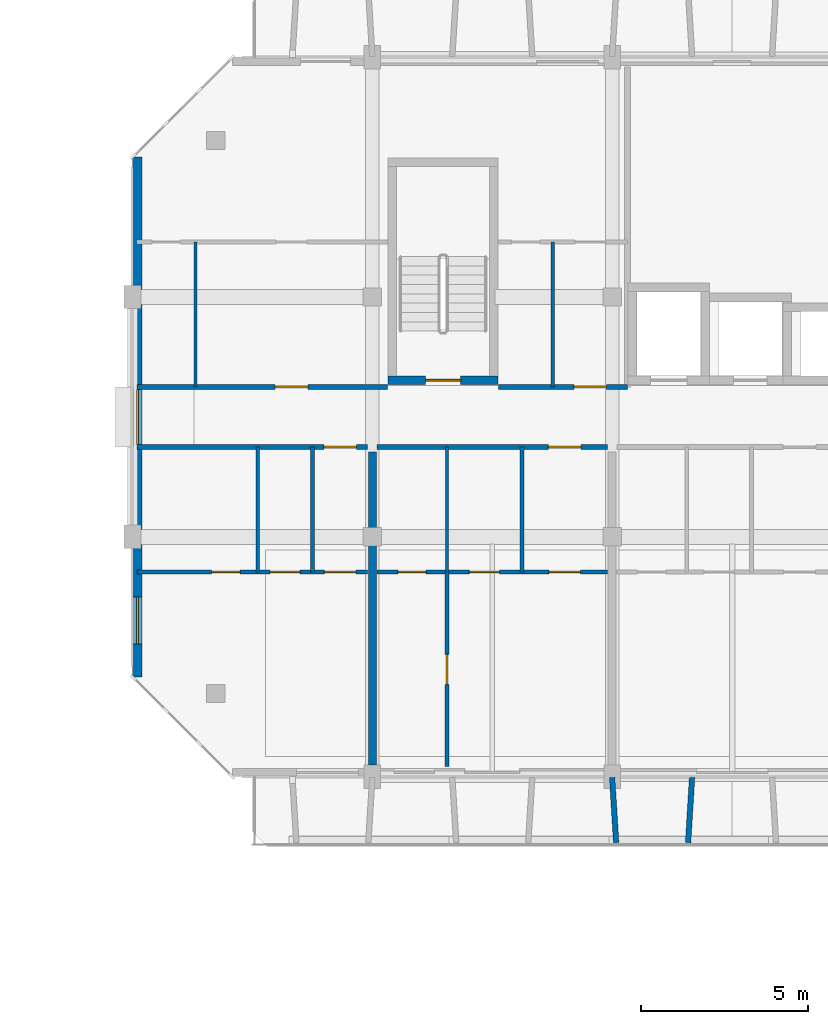
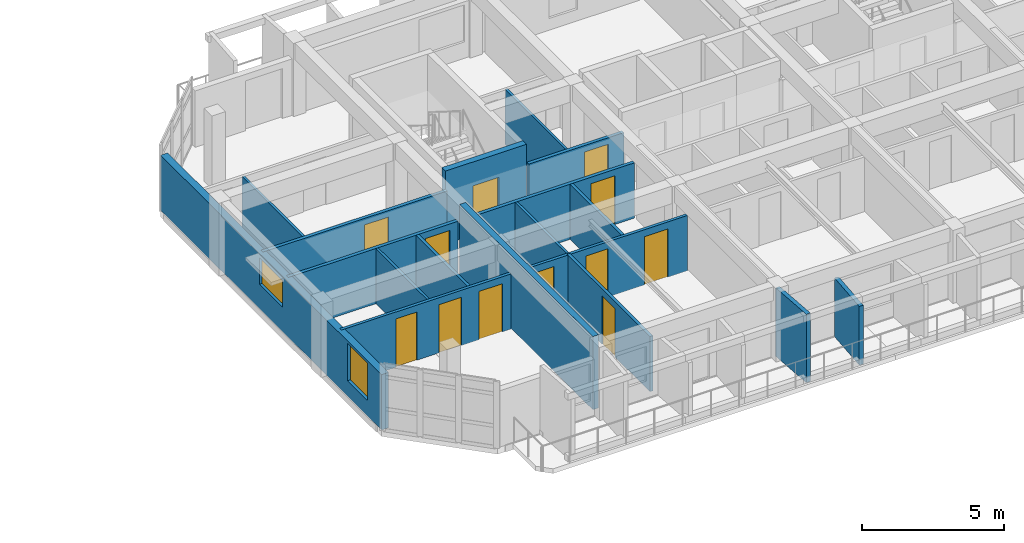
# One storey, part 40 of 64: 18 walls, 12 doors, 2 windows, 14 openings.
"""IFC4 building model written with IfcOpenShell, lengths in metres."""

from ifc_helpers import new_model, si_unit, direction, frame, frame_2d, origin, place, context, subcontext, project, spatial, rectangle, extrude, material, layer, layer_set, type_object, element, fill, save


model = new_model("IFC4")

# Units and contexts
model_context = context("Model", 3, precision=1e-05, world=origin(), true_north=direction((0.0, 1.0)))
body_context = subcontext(model_context, "Body", "Model", "MODEL_VIEW")
ifc_project = project(units=[si_unit("LENGTHUNIT", "METRE"), si_unit("AREAUNIT", "SQUARE_METRE"), si_unit("VOLUMEUNIT", "CUBIC_METRE"), si_unit("PLANEANGLEUNIT", "RADIAN"), si_unit("MASSUNIT", "GRAM", prefix="KILO")], contexts=[model_context])

# Site, building, storey
site_placement = place(None, origin())
site = spatial("IfcSite", under=ifc_project, at=site_placement, CompositionType="ELEMENT")
building_placement = place(site_placement, origin())
building = spatial("IfcBuilding", under=site, at=building_placement, Name="Ochrevale Crest", CompositionType="ELEMENT")
storey_placement = place(building_placement, frame((0.0, 0.0, 8.699951171875)))
storey = spatial("IfcBuildingStorey", under=building, at=storey_placement, Name="L02", CompositionType="ELEMENT", Elevation=8.699951171875)

# Wall, opening, door
ifc_material_1 = material(Name="Gypsum plasterboard", Category="gypsum")
ifc_layer_1 = layer(ifc_material_1, 0.139892578125)
ifc_layer_set_1 = layer_set([ifc_layer_1], Name="Gypsum plasterboard")
wall_type_1 = type_object("IfcWallType", Name="WL-COR-140", PredefinedType="PARTITIONING", material=ifc_layer_set_1)
wall_1_placement = place(storey_placement, frame((129.739990234375, 24.300048828125, 0.0), z_axis=(0.0, 0.0, 1.0), x_axis=(1.0, 0.0, 0.0)))
wall_1 = element("IfcWall", 1, at=wall_1_placement, inside=storey, type_object=wall_type_1, Name="Apartment C-L02-U1 corridor wall", PredefinedType="PARTITIONING", context=body_context, shape_type="SweptSolid", body=[
    extrude(rectangle(XDim=6.919921875, YDim=0.139892578125, at=frame_2d((3.4599609375, 0.0))), origin(), (0.0, 0.0, 1.0), 2.380126953125),
])
opening_1_placement = place(wall_1_placement, frame((6.5849609375, 0.0, 0.0), z_axis=(0.0, 0.0, 1.0), x_axis=(-1.0, 0.0, 0.0)))
opening_1 = element("IfcOpeningElement", 2, at=opening_1_placement, cuts=wall_1, Name="Opening FD01", PredefinedType="OPENING", context=body_context, shape_type="SweptSolid", body=[
    extrude(rectangle(XDim=0.97998046875, YDim=2.10009765625, at=frame_2d((0.489990234375, 1.050048828125))), frame((0.0, 0.080078125, 0.0), z_axis=(0.0, -1.0, 0.0), x_axis=(1.0, 0.0, 0.0)), (0.0, 0.0, 1.0), 0.159912109375),
])
ifc_material_2 = material(Name="Solid-core FSC hardwood", Category="wood")
door_type_1 = type_object("IfcDoorType", Name="DR-APT-950", OperationType="NOTDEFINED", PredefinedType="DOOR", material=ifc_material_2)
door_1_placement = place(opening_1_placement, origin())
door_1 = element("IfcDoor", 3, at=door_1_placement, inside=storey, type_object=door_type_1, Name="Apartment C-L02-U1 entrance door", OperationType="SINGLE_SWING_RIGHT", OverallHeight=2.10009765625, OverallWidth=0.97998046875, PredefinedType="DOOR", context=body_context, shape_type="SweptSolid", body=[
    extrude(rectangle(XDim=0.97998046875, YDim=2.10009765625, at=frame_2d((0.489990234375, 1.050048828125))), frame((0.0, 0.02490234375, 0.0), z_axis=(0.0, -1.0, 0.0), x_axis=(1.0, 0.0, 0.0)), (0.0, 0.0, 1.0), 0.050048828125),
])
fill(opening_1, door_1)

wall_2_placement = place(storey_placement, frame((136.93994140625, 24.300048828125, 0.0), z_axis=(0.0, 0.0, 1.0), x_axis=(1.0, 0.0, 0.0)))
wall_2 = element("IfcWall", 4, at=wall_2_placement, inside=storey, type_object=wall_type_1, Name="Apartment C-L02-U2 corridor wall", PredefinedType="PARTITIONING", context=body_context, shape_type="SweptSolid", body=[
    extrude(rectangle(XDim=6.920166015625, YDim=0.139892578125, at=frame_2d((3.4599609375, 0.0))), origin(), (0.0, 0.0, 1.0), 2.380126953125),
])
opening_2_placement = place(wall_2_placement, frame((6.125, 0.0, 0.0), z_axis=(0.0, 0.0, 1.0), x_axis=(-1.0, 0.0, 0.0)))
opening_2 = element("IfcOpeningElement", 5, at=opening_2_placement, cuts=wall_2, Name="Opening FD01", PredefinedType="OPENING", context=body_context, shape_type="SweptSolid", body=[
    extrude(rectangle(XDim=0.97998046875, YDim=2.10009765625, at=frame_2d((0.489990234375, 1.050048828125))), frame((0.0, 0.080078125, 0.0), z_axis=(0.0, -1.0, 0.0), x_axis=(1.0, 0.0, 0.0)), (0.0, 0.0, 1.0), 0.159912109375),
])
door_2_placement = place(opening_2_placement, origin())
door_2 = element("IfcDoor", 6, at=door_2_placement, inside=storey, type_object=door_type_1, Name="Apartment C-L02-U2 entrance door", OperationType="SINGLE_SWING_RIGHT", OverallHeight=2.10009765625, OverallWidth=0.97998046875, PredefinedType="DOOR", context=body_context, shape_type="SweptSolid", body=[
    extrude(rectangle(XDim=0.97998046875, YDim=2.10009765625, at=frame_2d((0.489990234375, 1.050048828125))), frame((0.0, 0.02490234375, 0.0), z_axis=(0.0, -1.0, 0.0), x_axis=(1.0, 0.0, 0.0)), (0.0, 0.0, 1.0), 0.050048828125),
])
fill(opening_2, door_2)

wall_3_placement = place(storey_placement, frame((129.739990234375, 26.10009765625, 0.0), z_axis=(0.0, 0.0, 1.0), x_axis=(1.0, 0.0, 0.0)))
wall_3 = element("IfcWall", 7, at=wall_3_placement, inside=storey, type_object=wall_type_1, Name="Suite C-L02-CW corridor wall", PredefinedType="PARTITIONING", context=body_context, shape_type="SweptSolid", body=[
    extrude(rectangle(XDim=7.52001953125, YDim=0.139892578125, at=frame_2d((3.760009765625, 0.0))), origin(), (0.0, 0.0, 1.0), 2.380126953125),
])
opening_3_placement = place(wall_3_placement, frame((5.125, 0.0, 0.0), z_axis=(0.0, 0.0, 1.0), x_axis=(-1.0, 0.0, 0.0)))
opening_3 = element("IfcOpeningElement", 8, at=opening_3_placement, cuts=wall_3, Name="Opening FD01", PredefinedType="OPENING", context=body_context, shape_type="SweptSolid", body=[
    extrude(rectangle(XDim=0.97998046875, YDim=2.10009765625, at=frame_2d((0.489990234375, 1.050048828125))), frame((0.0, 0.080078125, 0.0), z_axis=(0.0, -1.0, 0.0), x_axis=(1.0, 0.0, 0.0)), (0.0, 0.0, 1.0), 0.159912109375),
])
door_3_placement = place(opening_3_placement, origin())
door_3 = element("IfcDoor", 9, at=door_3_placement, inside=storey, type_object=door_type_1, Name="Suite C-L02-CW entrance door", OperationType="SINGLE_SWING_RIGHT", OverallHeight=2.10009765625, OverallWidth=0.97998046875, PredefinedType="DOOR", context=body_context, shape_type="SweptSolid", body=[
    extrude(rectangle(XDim=0.97998046875, YDim=2.10009765625, at=frame_2d((0.489990234375, 1.050048828125))), frame((0.0, 0.02490234375, 0.0), z_axis=(0.0, -1.0, 0.0), x_axis=(1.0, 0.0, 0.0)), (0.0, 0.0, 1.0), 0.050048828125),
])
fill(opening_3, door_3)

wall_4_placement = place(storey_placement, frame((140.590087890625, 26.10009765625, 0.0), z_axis=(0.0, 0.0, 1.0), x_axis=(1.0, 0.0, 0.0)))
wall_4 = element("IfcWall", 10, at=wall_4_placement, inside=storey, type_object=wall_type_1, Name="Suite C-L02-MW corridor wall", PredefinedType="PARTITIONING", context=body_context, shape_type="SweptSolid", body=[
    extrude(rectangle(XDim=3.869873046875, YDim=0.139892578125, at=frame_2d((1.93505859375, 0.0))), origin(), (0.0, 0.0, 1.0), 2.380126953125),
])
opening_4_placement = place(wall_4_placement, frame((2.2578125, 0.0, 0.0)))
opening_4 = element("IfcOpeningElement", 11, at=opening_4_placement, cuts=wall_4, Name="Opening FD01", PredefinedType="OPENING", context=body_context, shape_type="SweptSolid", body=[
    extrude(rectangle(XDim=0.97998046875, YDim=2.10009765625, at=frame_2d((0.489990234375, 1.050048828125))), frame((0.0, 0.080078125, 0.0), z_axis=(0.0, -1.0, 0.0), x_axis=(1.0, 0.0, 0.0)), (0.0, 0.0, 1.0), 0.159912109375),
])
door_4_placement = place(opening_4_placement, origin())
door_4 = element("IfcDoor", 12, at=door_4_placement, inside=storey, type_object=door_type_1, Name="Suite C-L02-MW entrance door", OperationType="SINGLE_SWING_LEFT", OverallHeight=2.10009765625, OverallWidth=0.97998046875, PredefinedType="DOOR", context=body_context, shape_type="SweptSolid", body=[
    extrude(rectangle(XDim=0.97998046875, YDim=2.10009765625, at=frame_2d((0.489990234375, 1.050048828125))), frame((0.0, 0.02490234375, 0.0), z_axis=(0.0, -1.0, 0.0), x_axis=(1.0, 0.0, 0.0)), (0.0, 0.0, 1.0), 0.050048828125),
])
fill(opening_4, door_4)

ifc_material_3 = material(Name="Precast concrete C50/60", Category="concrete")
ifc_layer_2 = layer(ifc_material_3, 0.2548828125)
ifc_layer_set_2 = layer_set([ifc_layer_2], Name="Precast concrete C50/60")
wall_type_2 = type_object("IfcWallType", Name="WL-CORE-255", PredefinedType="SHEAR", material=ifc_layer_set_2)
wall_5_placement = place(storey_placement, frame((137.2724609375, 26.300048828125, 0.0), z_axis=(0.0, 0.0, 1.0), x_axis=(1.0, 0.0, 0.0)))
wall_5 = element("IfcWall", 13, at=wall_5_placement, inside=storey, type_object=wall_type_2, Name="Block C L02 Stair 1 precast core shear wall S", PredefinedType="SHEAR", context=body_context, shape_type="SweptSolid", body=[
    extrude(rectangle(XDim=3.304931640625, YDim=0.2548828125, at=frame_2d((1.65234375, 0.0))), origin(), (0.0, 0.0, 1.0), 3.150146484375),
])
opening_5_placement = place(wall_5_placement, frame((2.177490234375, 0.0, 0.0), z_axis=(0.0, 0.0, 1.0), x_axis=(-1.0, 0.0, 0.0)))
opening_5 = element("IfcOpeningElement", 14, at=opening_5_placement, cuts=wall_5, Name="Opening FD03", PredefinedType="OPENING", context=body_context, shape_type="SweptSolid", body=[
    extrude(rectangle(XDim=1.050048828125, YDim=2.1201171875, at=frame_2d((0.52490234375, 1.06005859375))), frame((0.0, 0.137451171875, 0.0), z_axis=(0.0, -1.0, 0.0), x_axis=(1.0, 0.0, 0.0)), (0.0, 0.0, 1.0), 0.27490234375),
])
door_type_2 = type_object("IfcDoorType", Name="DR-ST-1050", OperationType="NOTDEFINED", PredefinedType="DOOR", material=ifc_material_2)
door_5_placement = place(opening_5_placement, origin())
door_5 = element("IfcDoor", 15, at=door_5_placement, inside=storey, type_object=door_type_2, Name="Block C L02 fire stair 1 door", OperationType="SINGLE_SWING_RIGHT", OverallHeight=2.1201171875, OverallWidth=1.050048828125, PredefinedType="DOOR", context=body_context, shape_type="SweptSolid", body=[
    extrude(rectangle(XDim=1.050048828125, YDim=2.1201171875, at=frame_2d((0.52490234375, 1.06005859375))), frame((0.0, 0.02490234375, 0.0), z_axis=(0.0, -1.0, 0.0), x_axis=(1.0, 0.0, 0.0)), (0.0, 0.0, 1.0), 0.050048828125),
])
fill(opening_5, door_5)

# Wall, openings, windows
ifc_material_4 = material(Name="Clay face brickwork", Category="masonry")
ifc_layer_3 = layer(ifc_material_4, 0.2900390625)
ifc_layer_set_3 = layer_set([ifc_layer_3], Name="Clay face brickwork")
wall_type_3 = type_object("IfcWallType", Name="WL-EXT-BRICK-290", PredefinedType="SOLIDWALL", material=ifc_layer_set_3)
wall_6_placement = place(storey_placement, frame((129.7451171875, 33.0, 0.0), z_axis=(0.0, 0.0, 1.0), x_axis=(0.0, -1.0, 0.0)))
wall_6 = element("IfcWall", 16, at=wall_6_placement, inside=storey, type_object=wall_type_3, Name="Block C L02 external facade wall E7", PredefinedType="SOLIDWALL", context=body_context, shape_type="SweptSolid", body=[
    extrude(rectangle(XDim=15.60009765625, YDim=0.2900390625, at=frame_2d((7.800048828125, 0.0))), origin(), (0.0, 0.0, 1.0), 2.380126953125),
])
opening_6_placement = place(wall_6_placement, frame((6.97509765625, 0.0, 1.050048828125)))
opening_6 = element("IfcOpeningElement", 17, at=opening_6_placement, cuts=wall_6, Name="Opening W19", PredefinedType="OPENING", context=body_context, shape_type="SweptSolid", body=[
    extrude(rectangle(XDim=1.64990234375, YDim=1.14990234375, at=frame_2d((0.824951171875, 0.574951171875))), frame((0.0, 0.155029296875, 0.0), z_axis=(0.0, -1.0, 0.0), x_axis=(1.0, 0.0, 0.0)), (0.0, 0.0, 1.0), 0.31005859375),
])
opening_7_placement = place(wall_6_placement, frame((13.199951171875, 0.0, 0.669921875)))
opening_7 = element("IfcOpeningElement", 18, at=opening_7_placement, cuts=wall_6, Name="Opening W31", PredefinedType="OPENING", context=body_context, shape_type="SweptSolid", body=[
    extrude(rectangle(XDim=1.419921875, YDim=1.60009765625, at=frame_2d((0.7099609375, 0.800048828125))), frame((0.0, 0.155029296875, 0.0), z_axis=(0.0, -1.0, 0.0), x_axis=(1.0, 0.0, 0.0)), (0.0, 0.0, 1.0), 0.31005859375),
])
ifc_material_5 = material(Name="Anodised aluminium 6063-T5 and low-E double glazing", Category="aluminium")
window_type_1 = type_object("IfcWindowType", Name="WIN-W19", PartitioningType="SINGLE_PANEL", PredefinedType="WINDOW", material=ifc_material_5)
window_1_placement = place(opening_6_placement, origin())
window_1 = element("IfcWindow", 19, at=window_1_placement, inside=storey, type_object=window_type_1, Name="Block C L02 corridor end daylight window W", OverallHeight=1.14990234375, OverallWidth=1.64990234375, PartitioningType="SINGLE_PANEL", PredefinedType="WINDOW", context=body_context, shape_type="SweptSolid", body=[
    extrude(rectangle(XDim=1.64990234375, YDim=1.14990234375, at=frame_2d((0.824951171875, 0.574951171875))), frame((0.0, 0.030029296875, 0.0), z_axis=(0.0, -1.0, 0.0), x_axis=(1.0, 0.0, 0.0)), (0.0, 0.0, 1.0), 0.06005859375),
])
fill(opening_6, window_1)
window_type_2 = type_object("IfcWindowType", Name="WIN-W31", PartitioningType="SINGLE_PANEL", PredefinedType="WINDOW", material=ifc_material_5)
window_2_placement = place(opening_7_placement, origin())
window_2 = element("IfcWindow", 20, at=window_2_placement, inside=storey, type_object=window_type_2, Name="Block C L02 side suite window W", OverallHeight=1.60009765625, OverallWidth=1.419921875, PartitioningType="SINGLE_PANEL", PredefinedType="WINDOW", context=body_context, shape_type="SweptSolid", body=[
    extrude(rectangle(XDim=1.419921875, YDim=1.60009765625, at=frame_2d((0.7099609375, 0.800048828125))), frame((0.0, 0.030029296875, 0.0), z_axis=(0.0, -1.0, 0.0), x_axis=(1.0, 0.0, 0.0)), (0.0, 0.0, 1.0), 0.06005859375),
])
fill(opening_7, window_2)

# Walls
ifc_material_6 = material(Name="Precast concrete C40/50", Category="concrete")
ifc_layer_4 = layer(ifc_material_6, 0.1650390625)
ifc_layer_set_4 = layer_set([ifc_layer_4], Name="Precast concrete C40/50")
wall_type_4 = type_object("IfcWallType", Name="WL-HC-CHEEK-165", PredefinedType="ELEMENTEDWALL", material=ifc_layer_set_4)
wall_7_placement = place(storey_placement, frame((144.0, 14.3798828125, 0.0), z_axis=(0.0, 0.0, 1.0), x_axis=(0.061170732449, -0.998127317276, 0.0)))
element("IfcWall", 21, at=wall_7_placement, inside=storey, type_object=wall_type_4, Name="Block C L02 S precast honeycomb cheek 5", PredefinedType="ELEMENTEDWALL", context=body_context, shape_type="SweptSolid", body=[
    extrude(rectangle(XDim=1.963623046875, YDim=0.1650390625, at=frame_2d((0.98193359375, 0.0))), origin(), (0.0, 0.0, 1.0), 2.949951171875),
])
wall_8_placement = place(storey_placement, frame((146.39990234375, 14.3798828125, 0.0), z_axis=(0.0, 0.0, 1.0), x_axis=(-0.061046865508, -0.998134900808, 0.0)))
element("IfcWall", 22, at=wall_8_placement, inside=storey, type_object=wall_type_4, Name="Block C L02 S precast honeycomb cheek 6", PredefinedType="ELEMENTEDWALL", context=body_context, shape_type="SweptSolid", body=[
    extrude(rectangle(XDim=1.963623046875, YDim=0.1650390625, at=frame_2d((0.98193359375, 0.0))), origin(), (0.0, 0.0, 1.0), 2.530029296875),
])
ifc_layer_5 = layer(ifc_material_1, 0.1201171875)
ifc_layer_set_5 = layer_set([ifc_layer_5], Name="Gypsum plasterboard")
wall_type_5 = type_object("IfcWallType", Name="WL-PART-120", PredefinedType="PARTITIONING", material=ifc_layer_set_5)
wall_9_placement = place(storey_placement, frame((135.010009765625, 20.550048828125, 0.0), z_axis=(0.0, 0.0, 1.0), x_axis=(0.0, 1.0, 0.0)))
element("IfcWall", 23, at=wall_9_placement, inside=storey, type_object=wall_type_5, Name="Apartment C-L02-U1 kitchen-foyer wall", PredefinedType="PARTITIONING", context=body_context, shape_type="SweptSolid", body=[
    extrude(rectangle(XDim=3.75, YDim=0.1201171875, at=frame_2d((1.875, 0.0))), origin(), (0.0, 0.0, 1.0), 2.375),
])

# Wall, openings, doors
wall_10_placement = place(storey_placement, frame((129.739990234375, 20.550048828125, 0.0), z_axis=(0.0, 0.0, 1.0), x_axis=(1.0, 0.0, 0.0)))
wall_10 = element("IfcWall", 24, at=wall_10_placement, inside=storey, type_object=wall_type_5, Name="Apartment C-L02-U1 central partition", PredefinedType="PARTITIONING", context=body_context, shape_type="SweptSolid", body=[
    extrude(rectangle(XDim=6.919921875, YDim=0.1201171875, at=frame_2d((3.4599609375, 0.0))), origin(), (0.0, 0.0, 1.0), 2.380126953125),
])
opening_8_placement = place(wall_10_placement, frame((2.239990234375, 0.0, 0.0)))
opening_8 = element("IfcOpeningElement", 25, at=opening_8_placement, cuts=wall_10, Name="Opening ID01", PredefinedType="OPENING", context=body_context, shape_type="SweptSolid", body=[
    extrude(rectangle(XDim=0.85009765625, YDim=2.080078125, at=frame_2d((0.425048828125, 1.0400390625))), frame((0.0, 0.070068359375, 0.0), z_axis=(0.0, -1.0, 0.0), x_axis=(1.0, 0.0, 0.0)), (0.0, 0.0, 1.0), 0.14013671875),
])
opening_9_placement = place(wall_10_placement, frame((4.89501953125, 0.0, 0.0), z_axis=(0.0, 0.0, 1.0), x_axis=(-1.0, 0.0, 0.0)))
opening_9 = element("IfcOpeningElement", 26, at=opening_9_placement, cuts=wall_10, Name="Opening ID02", PredefinedType="OPENING", context=body_context, shape_type="SweptSolid", body=[
    extrude(rectangle(XDim=0.89990234375, YDim=2.080078125, at=frame_2d((0.449951171875, 1.0400390625))), frame((0.0, 0.070068359375, 0.0), z_axis=(0.0, -1.0, 0.0), x_axis=(1.0, 0.0, 0.0)), (0.0, 0.0, 1.0), 0.14013671875),
])
opening_10_placement = place(wall_10_placement, frame((5.6201171875, 0.0, 0.0)))
opening_10 = element("IfcOpeningElement", 27, at=opening_10_placement, cuts=wall_10, Name="Opening ID06", PredefinedType="OPENING", context=body_context, shape_type="SweptSolid", body=[
    extrude(rectangle(XDim=0.949951171875, YDim=2.080078125, at=frame_2d((0.47509765625, 1.0400390625))), frame((0.0, 0.070068359375, 0.0), z_axis=(0.0, -1.0, 0.0), x_axis=(1.0, 0.0, 0.0)), (0.0, 0.0, 1.0), 0.14013671875),
])
door_type_3 = type_object("IfcDoorType", Name="DR-INT-900", OperationType="NOTDEFINED", PredefinedType="DOOR", material=ifc_material_2)
door_6_placement = place(opening_9_placement, origin())
door_6 = element("IfcDoor", 28, at=door_6_placement, inside=storey, type_object=door_type_3, Name="Apartment C-L02-U1 Kitchen door", OperationType="SINGLE_SWING_RIGHT", OverallHeight=2.080078125, OverallWidth=0.89990234375, PredefinedType="DOOR", context=body_context, shape_type="SweptSolid", body=[
    extrude(rectangle(XDim=0.89990234375, YDim=2.080078125, at=frame_2d((0.449951171875, 1.0400390625))), frame((0.0, 0.02490234375, 0.0), z_axis=(0.0, -1.0, 0.0), x_axis=(1.0, 0.0, 0.0)), (0.0, 0.0, 1.0), 0.050048828125),
])
fill(opening_9, door_6)
door_type_4 = type_object("IfcDoorType", Name="DR-INT-950", OperationType="NOTDEFINED", PredefinedType="DOOR", material=ifc_material_2)
door_7_placement = place(opening_10_placement, origin())
door_7 = element("IfcDoor", 29, at=door_7_placement, inside=storey, type_object=door_type_4, Name="Apartment C-L02-U1 Living Foyer door", OperationType="SINGLE_SWING_LEFT", OverallHeight=2.080078125, OverallWidth=0.949951171875, PredefinedType="DOOR", context=body_context, shape_type="SweptSolid", body=[
    extrude(rectangle(XDim=0.949951171875, YDim=2.080078125, at=frame_2d((0.47509765625, 1.0400390625))), frame((0.0, 0.02490234375, 0.0), z_axis=(0.0, -1.0, 0.0), x_axis=(1.0, 0.0, 0.0)), (0.0, 0.0, 1.0), 0.050048828125),
])
fill(opening_10, door_7)
door_type_5 = type_object("IfcDoorType", Name="DR-WC-850", OperationType="NOTDEFINED", PredefinedType="DOOR", material=ifc_material_2)
door_8_placement = place(opening_8_placement, origin())
door_8 = element("IfcDoor", 30, at=door_8_placement, inside=storey, type_object=door_type_5, Name="Apartment C-L02-U1 Bathroom door", OperationType="SINGLE_SWING_LEFT", OverallHeight=2.080078125, OverallWidth=0.85009765625, PredefinedType="DOOR", context=body_context, shape_type="SweptSolid", body=[
    extrude(rectangle(XDim=0.85009765625, YDim=2.080078125, at=frame_2d((0.425048828125, 1.0400390625))), frame((0.0, 0.02490234375, 0.0), z_axis=(0.0, -1.0, 0.0), x_axis=(1.0, 0.0, 0.0)), (0.0, 0.0, 1.0), 0.050048828125),
])
fill(opening_8, door_8)

# Wall
wall_11_placement = place(storey_placement, frame((141.2900390625, 20.550048828125, 0.0), z_axis=(0.0, 0.0, 1.0), x_axis=(0.0, 1.0, 0.0)))
element("IfcWall", 31, at=wall_11_placement, inside=storey, type_object=wall_type_5, Name="Apartment C-L02-U2 kitchen-foyer wall", PredefinedType="PARTITIONING", context=body_context, shape_type="SweptSolid", body=[
    extrude(rectangle(XDim=3.75, YDim=0.1201171875, at=frame_2d((1.875, 0.0))), origin(), (0.0, 0.0, 1.0), 2.375),
])

# Wall, openings, doors
wall_12_placement = place(storey_placement, frame((136.93994140625, 20.550048828125, 0.0), z_axis=(0.0, 0.0, 1.0), x_axis=(1.0, 0.0, 0.0)))
wall_12 = element("IfcWall", 32, at=wall_12_placement, inside=storey, type_object=wall_type_5, Name="Apartment C-L02-U2 central partition", PredefinedType="PARTITIONING", context=body_context, shape_type="SweptSolid", body=[
    extrude(rectangle(XDim=6.920166015625, YDim=0.1201171875, at=frame_2d((3.4599609375, 0.0))), origin(), (0.0, 0.0, 1.0), 2.380126953125),
])
opening_11_placement = place(wall_12_placement, frame((0.625, 0.0, 0.0)))
opening_11 = element("IfcOpeningElement", 33, at=opening_11_placement, cuts=wall_12, Name="Opening ID01", PredefinedType="OPENING", context=body_context, shape_type="SweptSolid", body=[
    extrude(rectangle(XDim=0.85009765625, YDim=2.080078125, at=frame_2d((0.425048828125, 1.0400390625))), frame((0.0, 0.070068359375, 0.0), z_axis=(0.0, -1.0, 0.0), x_axis=(1.0, 0.0, 0.0)), (0.0, 0.0, 1.0), 0.14013671875),
])
opening_12_placement = place(wall_12_placement, frame((3.6748046875, 0.0, 0.0), z_axis=(0.0, 0.0, 1.0), x_axis=(-1.0, 0.0, 0.0)))
opening_12 = element("IfcOpeningElement", 34, at=opening_12_placement, cuts=wall_12, Name="Opening ID02", PredefinedType="OPENING", context=body_context, shape_type="SweptSolid", body=[
    extrude(rectangle(XDim=0.89990234375, YDim=2.080078125, at=frame_2d((0.449951171875, 1.0400390625))), frame((0.0, 0.070068359375, 0.0), z_axis=(0.0, -1.0, 0.0), x_axis=(1.0, 0.0, 0.0)), (0.0, 0.0, 1.0), 0.14013671875),
])
opening_13_placement = place(wall_12_placement, frame((5.159912109375, 0.0, 0.0)))
opening_13 = element("IfcOpeningElement", 35, at=opening_13_placement, cuts=wall_12, Name="Opening ID06", PredefinedType="OPENING", context=body_context, shape_type="SweptSolid", body=[
    extrude(rectangle(XDim=0.949951171875, YDim=2.080078125, at=frame_2d((0.47509765625, 1.0400390625))), frame((0.0, 0.070068359375, 0.0), z_axis=(0.0, -1.0, 0.0), x_axis=(1.0, 0.0, 0.0)), (0.0, 0.0, 1.0), 0.14013671875),
])
door_9_placement = place(opening_12_placement, origin())
door_9 = element("IfcDoor", 36, at=door_9_placement, inside=storey, type_object=door_type_3, Name="Apartment C-L02-U2 Kitchen door", OperationType="SINGLE_SWING_RIGHT", OverallHeight=2.080078125, OverallWidth=0.89990234375, PredefinedType="DOOR", context=body_context, shape_type="SweptSolid", body=[
    extrude(rectangle(XDim=0.89990234375, YDim=2.080078125, at=frame_2d((0.449951171875, 1.0400390625))), frame((0.0, 0.02490234375, 0.0), z_axis=(0.0, -1.0, 0.0), x_axis=(1.0, 0.0, 0.0)), (0.0, 0.0, 1.0), 0.050048828125),
])
fill(opening_12, door_9)
door_10_placement = place(opening_13_placement, origin())
door_10 = element("IfcDoor", 37, at=door_10_placement, inside=storey, type_object=door_type_4, Name="Apartment C-L02-U2 Living Foyer door", OperationType="SINGLE_SWING_LEFT", OverallHeight=2.080078125, OverallWidth=0.949951171875, PredefinedType="DOOR", context=body_context, shape_type="SweptSolid", body=[
    extrude(rectangle(XDim=0.949951171875, YDim=2.080078125, at=frame_2d((0.47509765625, 1.0400390625))), frame((0.0, 0.02490234375, 0.0), z_axis=(0.0, -1.0, 0.0), x_axis=(1.0, 0.0, 0.0)), (0.0, 0.0, 1.0), 0.050048828125),
])
fill(opening_13, door_10)
door_11_placement = place(opening_11_placement, origin())
door_11 = element("IfcDoor", 38, at=door_11_placement, inside=storey, type_object=door_type_5, Name="Apartment C-L02-U2 Bathroom door", OperationType="SINGLE_SWING_LEFT", OverallHeight=2.080078125, OverallWidth=0.85009765625, PredefinedType="DOOR", context=body_context, shape_type="SweptSolid", body=[
    extrude(rectangle(XDim=0.85009765625, YDim=2.080078125, at=frame_2d((0.425048828125, 1.0400390625))), frame((0.0, 0.02490234375, 0.0), z_axis=(0.0, -1.0, 0.0), x_axis=(1.0, 0.0, 0.0)), (0.0, 0.0, 1.0), 0.050048828125),
])
fill(opening_11, door_11)

# Wall, opening, door
wall_13_placement = place(storey_placement, frame((139.0400390625, 14.699951171875, 0.0), z_axis=(0.0, 0.0, 1.0), x_axis=(0.0, 1.0, 0.0)))
wall_13 = element("IfcWall", 39, at=wall_13_placement, inside=storey, type_object=wall_type_5, Name="Apartment C-L02-U2 bedroom partition", PredefinedType="PARTITIONING", context=body_context, shape_type="SweptSolid", body=[
    extrude(rectangle(XDim=5.85009765625, YDim=0.1201171875, at=frame_2d((2.925048828125, 0.0))), origin(), (0.0, 0.0, 1.0), 2.380126953125),
])
opening_14_placement = place(wall_13_placement, frame((3.375, 0.0, 0.0), z_axis=(0.0, 0.0, 1.0), x_axis=(-1.0, 0.0, 0.0)))
opening_14 = element("IfcOpeningElement", 40, at=opening_14_placement, cuts=wall_13, Name="Opening ID02", PredefinedType="OPENING", context=body_context, shape_type="SweptSolid", body=[
    extrude(rectangle(XDim=0.89990234375, YDim=2.080078125, at=frame_2d((0.449951171875, 1.0400390625))), frame((0.0, 0.070068359375, 0.0), z_axis=(0.0, -1.0, 0.0), x_axis=(1.0, 0.0, 0.0)), (0.0, 0.0, 1.0), 0.14013671875),
])
door_12_placement = place(opening_14_placement, origin())
door_12 = element("IfcDoor", 41, at=door_12_placement, inside=storey, type_object=door_type_3, Name="Apartment C-L02-U2 Master Bedroom door", OperationType="SINGLE_SWING_RIGHT", OverallHeight=2.080078125, OverallWidth=0.89990234375, PredefinedType="DOOR", context=body_context, shape_type="SweptSolid", body=[
    extrude(rectangle(XDim=0.89990234375, YDim=2.080078125, at=frame_2d((0.449951171875, 1.0400390625))), frame((0.0, 0.02490234375, 0.0), z_axis=(0.0, -1.0, 0.0), x_axis=(1.0, 0.0, 0.0)), (0.0, 0.0, 1.0), 0.050048828125),
])
fill(opening_14, door_12)

# Walls
ifc_layer_6 = layer(ifc_material_3, 0.239990234375)
ifc_layer_set_6 = layer_set([ifc_layer_6], Name="Precast concrete C50/60")
wall_type_6 = type_object("IfcWallType", Name="WL-SHEAR-240", PredefinedType="SHEAR", material=ifc_layer_set_6)
wall_14_placement = place(storey_placement, frame((136.800048828125, 14.75, 0.0), z_axis=(0.0, 0.0, 1.0), x_axis=(0.0, 1.0, 0.0)))
element("IfcWall", 42, at=wall_14_placement, inside=storey, type_object=wall_type_6, Name="Block C L02 load-bearing precast cross-wall X=136.8", PredefinedType="SHEAR", context=body_context, shape_type="SweptSolid", body=[
    extrude(rectangle(XDim=9.39990234375, YDim=0.239990234375, at=frame_2d((4.699951171875, 0.0))), origin(), (0.0, 0.0, 1.0), 3.150146484375),
])
ifc_layer_7 = layer(ifc_material_1, 0.10009765625)
ifc_layer_set_7 = layer_set([ifc_layer_7], Name="Gypsum plasterboard")
wall_type_7 = type_object("IfcWallType", Name="WL-WET-100", PredefinedType="PARTITIONING", material=ifc_layer_set_7)
for number, where, z_axis, x_axis, name in (
    (43, (133.360107421875, 20.550048828125, 0.0), (0.0, 0.0, 1.0), (0.0, 1.0, 0.0), "Apartment C-L02-U1 bath-kitchen wall"),
    (44, (139.0400390625, 20.550048828125, 0.0), (0.0, 0.0, 1.0), (0.0, 1.0, 0.0), "Apartment C-L02-U2 bath-kitchen wall"),
):
    element("IfcWall", number, at=place(storey_placement, frame(where, z_axis=z_axis, x_axis=x_axis)), inside=storey, type_object=wall_type_7, Name=name, PredefinedType="PARTITIONING", context=body_context, shape_type="SweptSolid", body=[
        extrude(rectangle(XDim=3.75, YDim=0.10009765625, at=frame_2d((1.875, 0.0))), origin(), (0.0, 0.0, 1.0), 2.375),
    ])
for number, where, z_axis, x_axis, name in (
    (45, (131.489990234375, 26.10009765625, 0.0), (0.0, 0.0, 1.0), (0.0, 1.0, 0.0), "Suite C-L02-CW bathroom divider"),
    (46, (142.21533203125, 26.10009765625, 0.0), (0.0, 0.0, 1.0), (0.0, 1.0, 0.0), "Suite C-L02-MW bathroom divider"),
):
    element("IfcWall", number, at=place(storey_placement, frame(where, z_axis=z_axis, x_axis=x_axis)), inside=storey, type_object=wall_type_7, Name=name, PredefinedType="PARTITIONING", context=body_context, shape_type="SweptSolid", body=[
        extrude(rectangle(XDim=4.349853515625, YDim=0.10009765625, at=frame_2d((2.1748046875, 0.0))), origin(), (0.0, 0.0, 1.0), 2.375),
    ])

save(model, "model.ifc")
